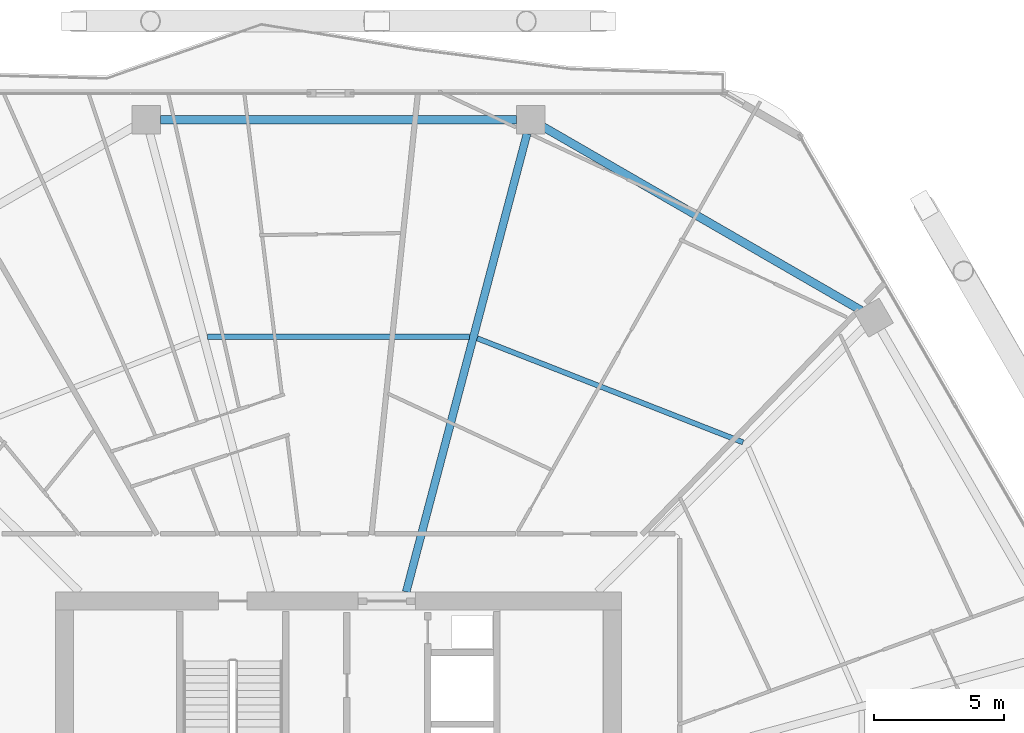
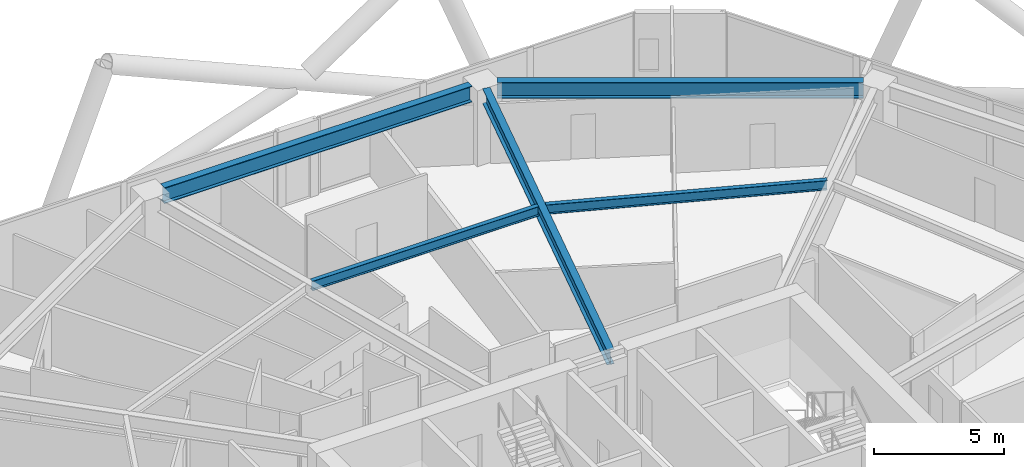
# One storey, part 22 of 35: 5 beams.
"""IFC4 building model written with IfcOpenShell, lengths in metres."""

from ifc_helpers import new_model, si_unit, direction, frame, origin, origin_2d, place, context, subcontext, project, spatial, i_section, extrude, material, material_profile, profile_set, type_object, element, save


model = new_model("IFC4")

# Units and contexts
model_context = context("Model", 3, precision=1e-05, world=origin(), true_north=direction((0.0, 1.0)))
body_context = subcontext(model_context, "Body", "Model", "MODEL_VIEW")
ifc_project = project(units=[si_unit("LENGTHUNIT", "METRE"), si_unit("AREAUNIT", "SQUARE_METRE"), si_unit("VOLUMEUNIT", "CUBIC_METRE"), si_unit("PLANEANGLEUNIT", "RADIAN"), si_unit("MASSUNIT", "GRAM", prefix="KILO")], contexts=[model_context])

# Site, building, storey
site_placement = place(None, origin())
site = spatial("IfcSite", under=ifc_project, at=site_placement, CompositionType="ELEMENT")
building_placement = place(site_placement, origin())
building = spatial("IfcBuilding", under=site, at=building_placement, Name="Zuhravey Tower", CompositionType="ELEMENT")
storey_placement = place(building_placement, frame((0.0, 0.0, 92.39990234375)))
storey = spatial("IfcBuildingStorey", under=building, at=storey_placement, Name="L22", CompositionType="ELEMENT", Elevation=92.39990234375)

# Beams
ifc_material = material(Name="Steel SM355", Category="steel")
ifc_material_profile_1 = material_profile(ifc_material, i_section(OverallWidth=0.320068359375, OverallDepth=0.75, WebThickness=0.013916015625, FlangeThickness=0.02490234375, at=origin_2d()), Name="H-750x320x14x25")
ifc_profile_set_1 = profile_set([ifc_material_profile_1], Name="Steel SM355")
beam_type_1 = type_object("IfcBeamType", Name="Perimeter Ring Beam H750x320", PredefinedType="BEAM", material=ifc_profile_set_1)
beam_1_placement = place(storey_placement, frame((56.0400390625, 52.63330078125, 3.175048828125), z_axis=(-0.866017786538, 0.500013193225, 0.0), x_axis=(-0.500013193225, -0.866017786538, 0.0)))
element("IfcBeam", 1, at=beam_1_placement, inside=storey, type_object=beam_type_1, Name="L22 PB1 BM-L22-PB-02", PredefinedType="BEAM", context=body_context, shape_type="SweptSolid", body=[
    extrude(i_section(OverallWidth=0.320068359375, OverallDepth=0.75, WebThickness=0.013916015625, FlangeThickness=0.02490234375, at=origin_2d()), origin(), (0.0, 0.0, 1.0), 14.0771484375),
])
beam_2_placement = place(storey_placement, frame((42.81689453125, 59.948486328125, 3.175048828125), z_axis=(-1.0, 0.0, 0.0), x_axis=(0.0, -1.0, 0.0)))
element("IfcBeam", 2, at=beam_2_placement, inside=storey, type_object=beam_type_1, Name="L22 PB1 BM-L22-PB-03", PredefinedType="BEAM", context=body_context, shape_type="SweptSolid", body=[
    extrude(i_section(OverallWidth=0.320068359375, OverallDepth=0.75, WebThickness=0.013916015625, FlangeThickness=0.02490234375, at=origin_2d()), origin(), (0.0, 0.0, 1.0), 13.6337890625),
])
ifc_material_profile_2 = material_profile(ifc_material, i_section(OverallWidth=0.300048828125, OverallDepth=0.699951171875, WebThickness=0.012939453125, FlangeThickness=0.02392578125, at=origin_2d()), Name="H-700x300x13x24")
ifc_profile_set_2 = profile_set([ifc_material_profile_2], Name="Steel SM355")
beam_type_2 = type_object("IfcBeamType", Name="Radial Primary Girder H700x300", PredefinedType="BEAM", material=ifc_profile_set_2)
beam_3_placement = place(storey_placement, frame((38.59814453125, 41.85302734375, 3.2001953125), z_axis=(0.25498755891, 0.966944333869, 0.0), x_axis=(-0.966944333869, 0.25498755891, 0.0)))
element("IfcBeam", 3, at=beam_3_placement, inside=storey, type_object=beam_type_2, Name="L22 RG1 BM-L22-RAD-03", PredefinedType="BEAM", context=body_context, shape_type="SweptSolid", body=[
    extrude(i_section(OverallWidth=0.300048828125, OverallDepth=0.699951171875, WebThickness=0.012939453125, FlangeThickness=0.02392578125, at=origin_2d()), origin(), (0.0, 0.0, 1.0), 18.1611328125),
])
ifc_material_profile_3 = material_profile(ifc_material, i_section(OverallWidth=0.199951171875, OverallDepth=0.449951171875, WebThickness=0.009033203125, FlangeThickness=0.013916015625, at=origin_2d()), Name="H-450x200x9x14")
ifc_profile_set_3 = profile_set([ifc_material_profile_3], Name="Steel SM355")
beam_type_3 = type_object("IfcBeamType", Name="Secondary Floor Joist H450x200", PredefinedType="JOIST", material=ifc_profile_set_3)
beam_4_placement = place(storey_placement, frame((51.50537109375, 47.581298828125, 3.3251953125), z_axis=(-0.931216764731, 0.364465824302, 0.0), x_axis=(-0.364465824302, -0.931216764731, 0.0)))
element("IfcBeam", 4, at=beam_4_placement, inside=storey, type_object=beam_type_3, Name="L22 SJ1 BM-L22-SJ-02-1", PredefinedType="JOIST", context=body_context, shape_type="SweptSolid", body=[
    extrude(i_section(OverallWidth=0.199951171875, OverallDepth=0.449951171875, WebThickness=0.009033203125, FlangeThickness=0.013916015625, at=origin_2d()), origin(), (0.0, 0.0, 1.0), 10.939453125),
])
beam_5_placement = place(storey_placement, frame((41.02099609375, 51.62451171875, 3.3251953125), z_axis=(-1.0, 0.0, 0.0), x_axis=(0.0, -1.0, 0.0)))
element("IfcBeam", 5, at=beam_5_placement, inside=storey, type_object=beam_type_3, Name="L22 SJ1 BM-L22-SJ-03-1", PredefinedType="JOIST", context=body_context, shape_type="SweptSolid", body=[
    extrude(i_section(OverallWidth=0.199951171875, OverallDepth=0.449951171875, WebThickness=0.009033203125, FlangeThickness=0.013916015625, at=origin_2d()), origin(), (0.0, 0.0, 1.0), 10.0419921875),
])

save(model, "model.ifc")
